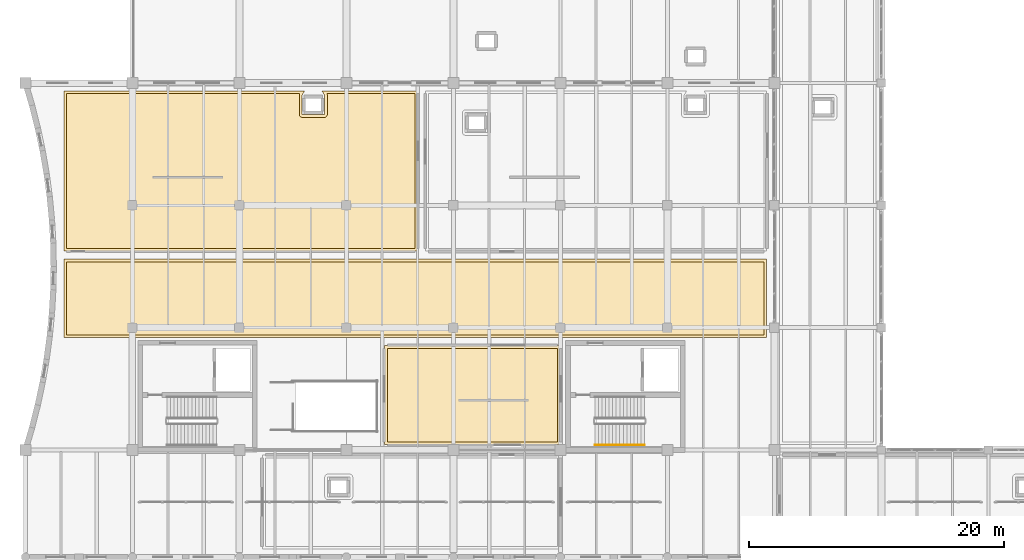
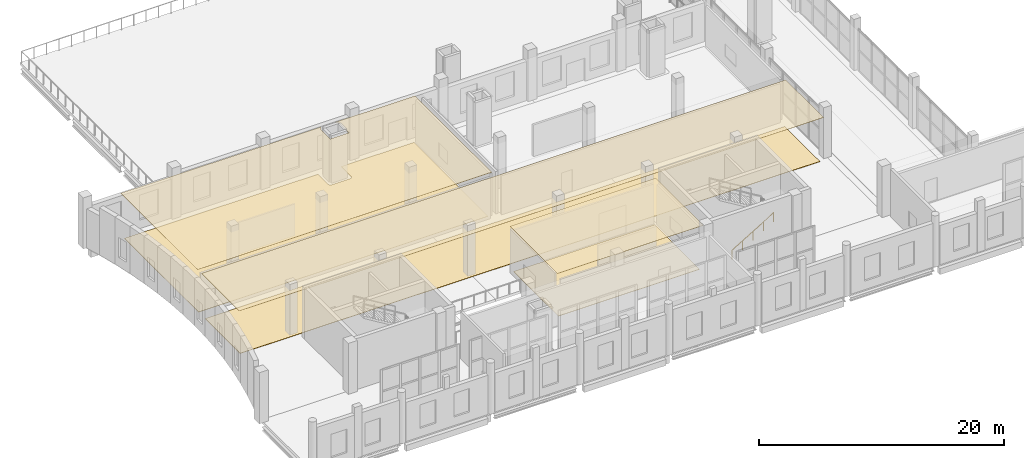
# One storey, part 66 of 73: 6 coverings, 1 railing.
"""IFC4 building model written with IfcOpenShell, lengths in metres."""

from ifc_helpers import new_model, si_unit, direction, frame, origin, origin_2d, place, context, subcontext, project, spatial, polyline, circle, outline, extrude, material, layer, layer_set, type_object, element, save


model = new_model("IFC4")

# Units and contexts
model_context = context("Model", 3, precision=1e-05, world=origin(), true_north=direction((0.0, 1.0)))
body_context = subcontext(model_context, "Body", "Model", "MODEL_VIEW")
ifc_project = project(units=[si_unit("LENGTHUNIT", "METRE"), si_unit("AREAUNIT", "SQUARE_METRE"), si_unit("VOLUMEUNIT", "CUBIC_METRE"), si_unit("PLANEANGLEUNIT", "RADIAN"), si_unit("MASSUNIT", "GRAM", prefix="KILO")], contexts=[model_context])

# Site, building, storey
site_placement = place(None, origin())
site = spatial("IfcSite", under=ifc_project, at=site_placement, CompositionType="ELEMENT")
building_placement = place(site_placement, origin())
building = spatial("IfcBuilding", under=site, at=building_placement, Name="Zulmaris Art Gallery", CompositionType="ELEMENT")
storey_placement = place(building_placement, frame((0.0, 0.0, 10.5)))
storey = spatial("IfcBuildingStorey", under=building, at=storey_placement, Name="L02", CompositionType="ELEMENT", Elevation=10.5)

# Coverings
ifc_material_1 = material(Name="Micro-Perforated Gypsum Acoustic Ceiling", Category="gypsum")
ifc_layer_1 = layer(ifc_material_1, 0.02490234375)
ifc_layer_set_1 = layer_set([ifc_layer_1], Name="Micro-Perforated Gypsum Acoustic Ceiling")
covering_type_1 = type_object("IfcCoveringType", Name="COV-CL01", PredefinedType="CEILING", material=ifc_layer_set_1)
covering_1_placement = place(storey_placement, frame((0.0, 0.0, 4.449951171875)))
element("IfcCovering", 1, at=covering_1_placement, inside=storey, type_object=covering_type_1, Name="L02 Gallery Enfilade Concourse acoustic ceiling", PredefinedType="CEILING", context=body_context, shape_type="SweptSolid", body=[
    extrude(outline(polyline([(27.010009765625, 36.590087890625), (82.18994140625, 36.590087890625), (82.18994140625, 30.409912109375), (27.010009765625, 30.409912109375), (27.010009765625, 36.590087890625)])), origin(), (0.0, 0.0, 1.0), 0.030029296875),
])
ifc_material_2 = material(Name="Luminous UV-Diffusing Stretched Gallery Ceiling", Category="gypsum")
ifc_layer_2 = layer(ifc_material_2, 0.034912109375)
ifc_layer_set_2 = layer_set([ifc_layer_2], Name="Luminous UV-Diffusing Stretched Gallery Ceiling")
covering_type_2 = type_object("IfcCoveringType", Name="COV-CL02", PredefinedType="CEILING", material=ifc_layer_set_2)
covering_2_placement = place(storey_placement, frame((0.0, 0.0, 4.449951171875)))
element("IfcCovering", 2, at=covering_2_placement, inside=storey, type_object=covering_type_2, Name="Works on Paper & Rare Prints Gallery acoustic ceiling", PredefinedType="CEILING", context=body_context, shape_type="SweptSolid", body=[
    extrude(outline(polyline([(52.2099609375, 29.7900390625), (65.989990234375, 29.7900390625), (65.989990234375, 22.010009765625), (52.2099609375, 22.010009765625), (52.2099609375, 29.7900390625)])), origin(), (0.0, 0.0, 1.0), 0.030029296875),
])
covering_3_placement = place(storey_placement, frame((0.0, 0.0, 4.449951171875)))
element("IfcCovering", 3, at=covering_3_placement, inside=storey, type_object=covering_type_2, Name="Photography & Moving Image Gallery acoustic ceiling", PredefinedType="CEILING", context=body_context, shape_type="SweptSolid", body=[
    extrude(outline(polyline([(45.721435546875, 47.94140625), (45.722412109375, 47.938720703125), (45.723876953125, 47.93603515625), (45.725341796875, 47.93359375), (45.72705078125, 47.93115234375), (45.72900390625, 47.928955078125), (45.731201171875, 47.927001953125), (45.7333984375, 47.92529296875), (45.736083984375, 47.923828125), (45.738525390625, 47.922607421875), (45.741455078125, 47.92138671875), (45.744140625, 47.9208984375), (45.7470703125, 47.92041015625), (45.75537109375, 47.919921875), (47.444580078125, 47.919921875), (47.452880859375, 47.92041015625), (47.455810546875, 47.9208984375), (47.45849609375, 47.92138671875), (47.46142578125, 47.922607421875), (47.464111328125, 47.923828125), (47.466552734375, 47.92529296875), (47.468994140625, 47.927001953125), (47.470947265625, 47.928955078125), (47.472900390625, 47.93115234375), (47.474609375, 47.93359375), (47.476318359375, 47.93603515625), (47.4775390625, 47.938720703125), (47.478515625, 47.94140625), (47.479248046875, 47.944091796875), (47.4794921875, 47.947021484375), (47.47998046875, 47.955322265625), (47.47998046875, 49.444580078125), (47.4794921875, 49.452880859375), (47.479248046875, 49.455810546875), (47.478515625, 49.45849609375), (47.4775390625, 49.46142578125), (47.476318359375, 49.464111328125), (47.28076171875, 49.7900390625), (54.7900390625, 49.7900390625), (54.7900390625, 37.2099609375), (27.010009765625, 37.2099609375), (27.010009765625, 49.7900390625), (45.919189453125, 49.7900390625), (45.723876953125, 49.464111328125), (45.722412109375, 49.46142578125), (45.721435546875, 49.45849609375), (45.720703125, 49.455810546875), (45.720458984375, 49.452880859375), (45.719970703125, 49.444580078125), (45.719970703125, 47.955322265625), (45.720458984375, 47.947021484375), (45.720703125, 47.944091796875), (45.721435546875, 47.94140625)])), origin(), (0.0, 0.0, 1.0), 0.030029296875),
])
ifc_material_3 = material(Name="Honed Omani Limestone Terrazzo Flooring", Category="masonry")
ifc_layer_3 = layer(ifc_material_3, 0.0400390625)
ifc_layer_set_3 = layer_set([ifc_layer_3], Name="Honed Omani Limestone Terrazzo Flooring")
covering_type_3 = type_object("IfcCoveringType", Name="COV-FL01", PredefinedType="FLOORING", material=ifc_layer_set_3)
covering_4_placement = place(storey_placement, origin())
element("IfcCovering", 4, at=covering_4_placement, inside=storey, type_object=covering_type_3, Name="L02 Gallery Enfilade Concourse finish flooring", PredefinedType="FLOORING", context=body_context, shape_type="SweptSolid", body=[
    extrude(outline(polyline([(81.969970703125, 30.6298828125), (27.22998046875, 30.6298828125), (27.22998046875, 36.3701171875), (81.969970703125, 36.3701171875), (81.969970703125, 30.6298828125)])), origin(), (0.0, 0.0, 1.0), 0.034912109375),
])
ifc_material_4 = material(Name="Oiled European Oak Gallery Parquet Flooring", Category="timber")
ifc_layer_4 = layer(ifc_material_4, 0.030029296875)
ifc_layer_set_4 = layer_set([ifc_layer_4], Name="Oiled European Oak Gallery Parquet Flooring")
covering_type_4 = type_object("IfcCoveringType", Name="COV-FL02", PredefinedType="FLOORING", material=ifc_layer_set_4)
covering_5_placement = place(storey_placement, origin())
element("IfcCovering", 5, at=covering_5_placement, inside=storey, type_object=covering_type_4, Name="Works on Paper & Rare Prints Gallery finish flooring", PredefinedType="FLOORING", context=body_context, shape_type="SweptSolid", body=[
    extrude(outline(polyline([(65.77001953125, 22.22998046875), (52.429931640625, 22.22998046875), (52.429931640625, 29.570068359375), (65.77001953125, 29.570068359375), (65.77001953125, 22.22998046875)])), origin(), (0.0, 0.0, 1.0), 0.034912109375),
])
covering_6_placement = place(storey_placement, origin())
element("IfcCovering", 6, at=covering_6_placement, inside=storey, type_object=covering_type_4, Name="Photography & Moving Image Gallery finish flooring", PredefinedType="FLOORING", context=body_context, shape_type="SweptSolid", body=[
    extrude(outline(polyline([(45.501220703125, 47.925537109375), (45.5048828125, 47.901123046875), (45.5107421875, 47.87744140625), (45.51904296875, 47.854248046875), (45.529541015625, 47.832275390625), (45.5419921875, 47.81103515625), (45.556640625, 47.79150390625), (45.5732421875, 47.773193359375), (45.59130859375, 47.756591796875), (45.611083984375, 47.7421875), (45.632080078125, 47.7294921875), (45.654296875, 47.718994140625), (45.677490234375, 47.710693359375), (45.701171875, 47.704833984375), (45.7255859375, 47.701171875), (45.75, 47.699951171875), (47.449951171875, 47.699951171875), (47.474609375, 47.701171875), (47.498779296875, 47.704833984375), (47.522705078125, 47.710693359375), (47.545654296875, 47.718994140625), (47.56787109375, 47.7294921875), (47.5888671875, 47.7421875), (47.608642578125, 47.756591796875), (47.626708984375, 47.773193359375), (47.643310546875, 47.79150390625), (47.657958984375, 47.81103515625), (47.67041015625, 47.832275390625), (47.680908203125, 47.854248046875), (47.689208984375, 47.87744140625), (47.6953125, 47.901123046875), (47.69873046875, 47.925537109375), (47.699951171875, 47.949951171875), (47.699951171875, 49.449951171875), (47.69873046875, 49.474609375), (47.6953125, 49.498779296875), (47.689208984375, 49.522705078125), (47.680908203125, 49.545654296875), (47.67041015625, 49.56787109375), (47.669189453125, 49.570068359375), (54.570068359375, 49.570068359375), (54.570068359375, 37.429931640625), (27.22998046875, 37.429931640625), (27.22998046875, 49.570068359375), (45.53076171875, 49.570068359375), (45.529541015625, 49.56787109375), (45.51904296875, 49.545654296875), (45.5107421875, 49.522705078125), (45.5048828125, 49.498779296875), (45.501220703125, 49.474609375), (45.5, 49.449951171875), (45.5, 47.949951171875), (45.501220703125, 47.925537109375)])), origin(), (0.0, 0.0, 1.0), 0.034912109375),
])

# Railing
ifc_material_5 = material(Name="Brushed Bronze Handrail", Category="steel")
ifc_layer_5 = layer(ifc_material_5, 0.048095703125)
ifc_layer_set_5 = layer_set([ifc_layer_5], Name="Brushed Bronze Handrail")
railing_type = type_object("IfcRailingType", Name="RAIL-STHND", PredefinedType="HANDRAIL", material=ifc_layer_set_5)
railing_placement = place(storey_placement, frame((68.699951171875, 22.0, 0.169921875)))
element("IfcRailing", 7, at=railing_placement, inside=storey, type_object=railing_type, Name="L02 ST2 stair handrail 1", PredefinedType="HANDRAIL", context=body_context, shape_type="SweptSolid", body=[
    extrude(circle(Radius=0.02392578125, at=origin_2d()), frame((0.0, 0.0, 0.8759765625), z_axis=(0.854784984964, 0.0, 0.518982301701), x_axis=(0.0, 1.0, 0.0)), (0.0, 0.0, 1.0), 4.586181640625),
    extrude(circle(Radius=0.02099609375, at=origin_2d()), origin(), (0.0, 0.0, 1.0), 0.851806640625),
    extrude(circle(Radius=0.02099609375, at=origin_2d()), frame((0.97998046875, 0.0, 0.594970703125)), (0.0, 0.0, 1.0), 0.851806640625),
    extrude(circle(Radius=0.02099609375, at=origin_2d()), frame((1.9599609375, 0.0, 1.18994140625)), (0.0, 0.0, 1.0), 0.851806640625),
    extrude(circle(Radius=0.02099609375, at=origin_2d()), frame((2.940185546875, 0.0, 1.78515625)), (0.0, 0.0, 1.0), 0.851806640625),
    extrude(circle(Radius=0.02099609375, at=origin_2d()), frame((3.920166015625, 0.0, 2.380126953125)), (0.0, 0.0, 1.0), 0.851806640625),
])

save(model, "model.ifc")
